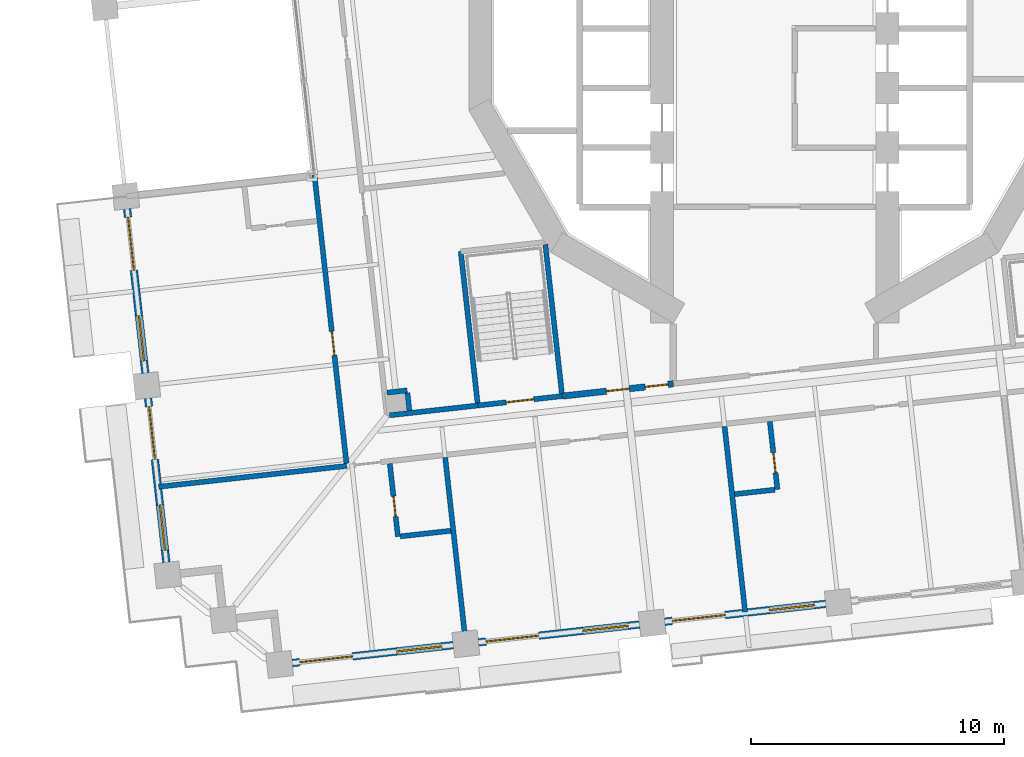
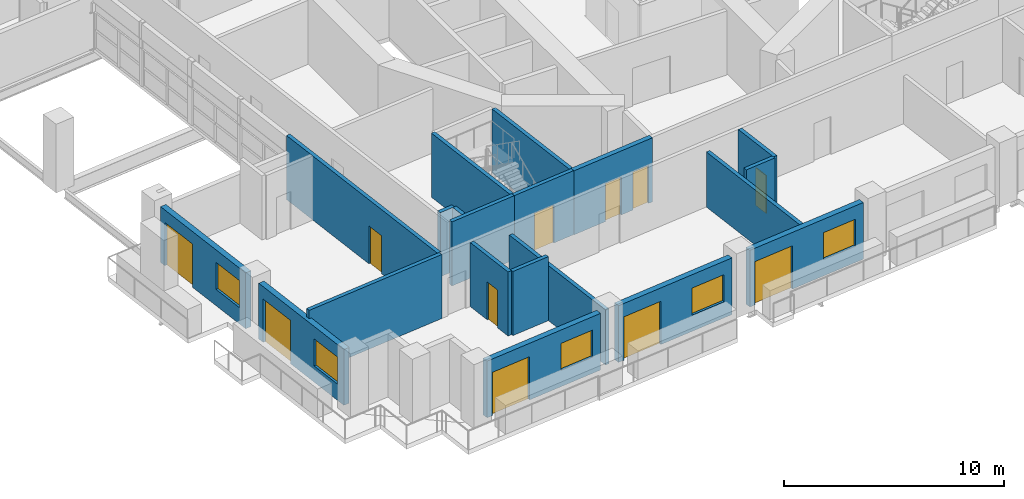
# One storey, part 7 of 21: 20 walls, 11 doors, 5 windows, 16 openings.
"""IFC4 building model written with IfcOpenShell, lengths in metres."""

from ifc_helpers import new_model, si_unit, direction, frame, frame_2d, origin, place, context, subcontext, project, spatial, rectangle, extrude, material, layer, layer_set, type_object, element, fill, save


model = new_model("IFC4")

# Units and contexts
model_context = context("Model", 3, precision=1e-05, world=origin(), true_north=direction((0.0, 1.0)))
body_context = subcontext(model_context, "Body", "Model", "MODEL_VIEW")
ifc_project = project(units=[si_unit("LENGTHUNIT", "METRE"), si_unit("AREAUNIT", "SQUARE_METRE"), si_unit("VOLUMEUNIT", "CUBIC_METRE"), si_unit("PLANEANGLEUNIT", "RADIAN"), si_unit("MASSUNIT", "GRAM", prefix="KILO")], contexts=[model_context])

# Site, building, storey
site_placement = place(None, origin())
site = spatial("IfcSite", under=ifc_project, at=site_placement, CompositionType="ELEMENT")
building_placement = place(site_placement, origin())
building = spatial("IfcBuilding", under=site, at=building_placement, Name="Cantera Rosa Tower", CompositionType="ELEMENT")
storey_placement = place(building_placement, frame((0.0, 0.0, 72.89990234375)))
storey = spatial("IfcBuildingStorey", under=building, at=storey_placement, Name="L15", CompositionType="ELEMENT", Elevation=72.89990234375)

# Wall, opening, door
ifc_material_1 = material(Name="Gypsum board partition")
ifc_layer_1 = layer(ifc_material_1, 0.199951171875)
ifc_layer_set_1 = layer_set([ifc_layer_1], Name="CORRIDOR WALL 200 H3550")
wall_type_1 = type_object("IfcWallType", Name="CORRIDOR WALL 200 H3550", PredefinedType="PARTITIONING", material=ifc_layer_set_1)
wall_1_placement = place(storey_placement, frame((-18.184814453125, -5.67578125, 0.0), z_axis=(0.0, 0.0, 1.0), x_axis=(0.110301773485, -0.993898143054, 0.0)))
wall_1 = element("IfcWall", 1, at=wall_1_placement, inside=storey, type_object=wall_type_1, Name="CORRIDOR WALL L15-011", PredefinedType="PARTITIONING", context=body_context, shape_type="SweptSolid", body=[
    extrude(rectangle(XDim=11.56494140625, YDim=0.199951171875, at=frame_2d((5.782470703125, 0.0))), origin(), (0.0, 0.0, 1.0), 3.550048828125),
])
opening_1_placement = place(wall_1_placement, frame((6.320068359375, 0.0, 0.0)))
opening_1 = element("IfcOpeningElement", 2, at=opening_1_placement, cuts=wall_1, Name="Opening L15-035", PredefinedType="OPENING", context=body_context, shape_type="SweptSolid", body=[
    extrude(rectangle(XDim=0.949951171875, YDim=2.10009765625, at=frame_2d((0.47509765625, 1.050048828125))), frame((0.0, 0.10986328125, 0.0), z_axis=(0.0, -1.0, 0.0), x_axis=(1.0, 0.0, 0.0)), (0.0, 0.0, 1.0), 0.219970703125),
])
ifc_material_2 = material(Name="Timber door leaf", Category="wood")
door_type_1 = type_object("IfcDoorType", Name="ROOM DOOR 950x2100", OperationType="NOTDEFINED", PredefinedType="DOOR", material=ifc_material_2)
door_1_placement = place(opening_1_placement, origin())
door_1 = element("IfcDoor", 3, at=door_1_placement, inside=storey, type_object=door_type_1, Name="DOOR L15-035", OperationType="NOTDEFINED", OverallHeight=2.10009765625, OverallWidth=0.949951171875, PredefinedType="DOOR", context=body_context, shape_type="SweptSolid", body=[
    extrude(rectangle(XDim=0.949951171875, YDim=2.10009765625, at=frame_2d((0.47509765625, 1.050048828125))), frame((0.0, 0.02490234375, 0.0), z_axis=(0.0, -1.0, 0.0), x_axis=(1.0, 0.0, 0.0)), (0.0, 0.0, 1.0), 0.050048828125),
])
fill(opening_1, door_1)

# Wall
wall_2_placement = place(storey_placement, frame((-15.208251953125, -15.27099609375, 0.0), z_axis=(0.0, 0.0, 1.0), x_axis=(0.993893064489, 0.110347525396, 0.0)))
element("IfcWall", 4, at=wall_2_placement, inside=storey, type_object=wall_type_1, Name="CORRIDOR WALL L15-022", PredefinedType="PARTITIONING", context=body_context, shape_type="SweptSolid", body=[
    extrude(rectangle(XDim=3.509033203125, YDim=0.199951171875, at=frame_2d((1.75439453125, 0.0))), origin(), (0.0, 0.0, 1.0), 3.550048828125),
])

# Wall, openings, window, door
ifc_material_3 = material(Name="Hollow clay masonry with cantera stone cladding", Category="masonry")
ifc_layer_2 = layer(ifc_material_3, 0.300048828125)
ifc_layer_set_2 = layer_set([ifc_layer_2], Name="EW-LOGGIA 300 H3090")
wall_type_2 = type_object("IfcWallType", Name="EW-LOGGIA 300 H3090", PredefinedType="SOLIDWALL", material=ifc_layer_set_2)
wall_3_placement = place(storey_placement, frame((-25.570068359375, -7.124267578125, 0.0), z_axis=(0.0, 0.0, 1.0), x_axis=(0.110312341265, -0.993896970196, 0.0)))
wall_3 = element("IfcWall", 5, at=wall_3_placement, inside=storey, type_object=wall_type_2, Name="EN-L15-W19", PredefinedType="SOLIDWALL", context=body_context, shape_type="SweptSolid", body=[
    extrude(rectangle(XDim=6.52001953125, YDim=0.300048828125, at=frame_2d((3.260009765625, 0.0))), origin(), (0.0, 0.0, 1.0), 3.090087890625),
])
opening_2_placement = place(wall_3_placement, frame((0.330078125, 0.0, 0.0)))
opening_2 = element("IfcOpeningElement", 6, at=opening_2_placement, cuts=wall_3, Name="Opening L15-TD25", PredefinedType="OPENING", context=body_context, shape_type="SweptSolid", body=[
    extrude(rectangle(XDim=2.10009765625, YDim=2.39990234375, at=frame_2d((1.050048828125, 1.199951171875))), frame((0.0, 0.159912109375, 0.0), z_axis=(0.0, -1.0, 0.0), x_axis=(1.0, 0.0, 0.0)), (0.0, 0.0, 1.0), 0.320068359375),
])
opening_3_placement = place(wall_3_placement, frame((4.239990234375, 0.0, 0.89990234375)))
opening_3 = element("IfcOpeningElement", 7, at=opening_3_placement, cuts=wall_3, Name="Opening L15-W26", PredefinedType="OPENING", context=body_context, shape_type="SweptSolid", body=[
    extrude(rectangle(XDim=1.800048828125, YDim=1.5, at=frame_2d((0.89990234375, 0.75))), frame((0.0, 0.159912109375, 0.0), z_axis=(0.0, -1.0, 0.0), x_axis=(1.0, 0.0, 0.0)), (0.0, 0.0, 1.0), 0.320068359375),
])
ifc_material_4 = material(Name="Aluminium frame with clear glass", Category="aluminium")
window_type = type_object("IfcWindowType", Name="Hotel room window 1800x1500", PartitioningType="DOUBLE_PANEL_VERTICAL", PredefinedType="WINDOW", material=ifc_material_4)
window_1_placement = place(opening_3_placement, origin())
window_1 = element("IfcWindow", 8, at=window_1_placement, inside=storey, type_object=window_type, Name="WINDOW L15-W26", OverallHeight=1.5, OverallWidth=1.800048828125, PartitioningType="SINGLE_PANEL", PredefinedType="WINDOW", context=body_context, shape_type="SweptSolid", body=[
    extrude(rectangle(XDim=1.800048828125, YDim=1.5, at=frame_2d((0.89990234375, 0.75))), frame((0.0, 0.030029296875, 0.0), z_axis=(0.0, -1.0, 0.0), x_axis=(1.0, 0.0, 0.0)), (0.0, 0.0, 1.0), 0.06005859375),
])
fill(opening_3, window_1)
ifc_material_5 = material(Name="Aluminium frame with clear glass", Category="aluminium")
door_type_2 = type_object("IfcDoorType", Name="TD-H 2100x2400", OperationType="NOTDEFINED", PredefinedType="DOOR", material=ifc_material_5)
door_2_placement = place(opening_2_placement, origin())
door_2 = element("IfcDoor", 9, at=door_2_placement, inside=storey, type_object=door_type_2, Name="LOGGIA DOOR L15-TD25", OperationType="SLIDING_TO_LEFT", OverallHeight=2.39990234375, OverallWidth=2.10009765625, PredefinedType="DOOR", context=body_context, shape_type="SweptSolid", body=[
    extrude(rectangle(XDim=2.10009765625, YDim=2.39990234375, at=frame_2d((1.050048828125, 1.199951171875))), frame((0.0, 0.02490234375, 0.0), z_axis=(0.0, -1.0, 0.0), x_axis=(1.0, 0.0, 0.0)), (0.0, 0.0, 1.0), 0.050048828125),
])
fill(opening_2, door_2)

wall_4_placement = place(storey_placement, frame((-24.74072265625, -14.598388671875, 0.0), z_axis=(0.0, 0.0, 1.0), x_axis=(0.110312341265, -0.993896970196, 0.0)))
wall_4 = element("IfcWall", 10, at=wall_4_placement, inside=storey, type_object=wall_type_2, Name="EN-L15-W20", PredefinedType="SOLIDWALL", context=body_context, shape_type="SweptSolid", body=[
    extrude(rectangle(XDim=6.52001953125, YDim=0.300048828125, at=frame_2d((3.260009765625, 0.0))), origin(), (0.0, 0.0, 1.0), 3.090087890625),
])
opening_4_placement = place(wall_4_placement, frame((0.330078125, 0.0, 0.0)))
opening_4 = element("IfcOpeningElement", 11, at=opening_4_placement, cuts=wall_4, Name="Opening L15-TD27", PredefinedType="OPENING", context=body_context, shape_type="SweptSolid", body=[
    extrude(rectangle(XDim=2.10009765625, YDim=2.39990234375, at=frame_2d((1.050048828125, 1.199951171875))), frame((0.0, 0.159912109375, 0.0), z_axis=(0.0, -1.0, 0.0), x_axis=(1.0, 0.0, 0.0)), (0.0, 0.0, 1.0), 0.320068359375),
])
opening_5_placement = place(wall_4_placement, frame((4.239990234375, 0.0, 0.89990234375)))
opening_5 = element("IfcOpeningElement", 12, at=opening_5_placement, cuts=wall_4, Name="Opening L15-W28", PredefinedType="OPENING", context=body_context, shape_type="SweptSolid", body=[
    extrude(rectangle(XDim=1.800048828125, YDim=1.5, at=frame_2d((0.89990234375, 0.75))), frame((0.0, 0.159912109375, 0.0), z_axis=(0.0, -1.0, 0.0), x_axis=(1.0, 0.0, 0.0)), (0.0, 0.0, 1.0), 0.320068359375),
])
window_2_placement = place(opening_5_placement, origin())
window_2 = element("IfcWindow", 13, at=window_2_placement, inside=storey, type_object=window_type, Name="WINDOW L15-W28", OverallHeight=1.5, OverallWidth=1.800048828125, PartitioningType="SINGLE_PANEL", PredefinedType="WINDOW", context=body_context, shape_type="SweptSolid", body=[
    extrude(rectangle(XDim=1.800048828125, YDim=1.5, at=frame_2d((0.89990234375, 0.75))), frame((0.0, 0.030029296875, 0.0), z_axis=(0.0, -1.0, 0.0), x_axis=(1.0, 0.0, 0.0)), (0.0, 0.0, 1.0), 0.06005859375),
])
fill(opening_5, window_2)
door_3_placement = place(opening_4_placement, origin())
door_3 = element("IfcDoor", 14, at=door_3_placement, inside=storey, type_object=door_type_2, Name="LOGGIA DOOR L15-TD27", OperationType="SLIDING_TO_LEFT", OverallHeight=2.39990234375, OverallWidth=2.10009765625, PredefinedType="DOOR", context=body_context, shape_type="SweptSolid", body=[
    extrude(rectangle(XDim=2.10009765625, YDim=2.39990234375, at=frame_2d((1.050048828125, 1.199951171875))), frame((0.0, 0.02490234375, 0.0), z_axis=(0.0, -1.0, 0.0), x_axis=(1.0, 0.0, 0.0)), (0.0, 0.0, 1.0), 0.050048828125),
])
fill(opening_4, door_3)

ifc_material_6 = material(Name="Hollow clay masonry with cantera stone cladding", Category="masonry")
ifc_layer_3 = layer(ifc_material_6, 0.300048828125)
ifc_layer_set_3 = layer_set([ifc_layer_3], Name="EW-LOGGIA 300 H3140")
wall_type_3 = type_object("IfcWallType", Name="EW-LOGGIA 300 H3140", PredefinedType="SOLIDWALL", material=ifc_layer_set_3)
wall_5_placement = place(storey_placement, frame((-19.052490234375, -25.0546875, 0.0), z_axis=(0.0, 0.0, 1.0), x_axis=(0.993896288542, 0.110318482689, 0.0)))
wall_5 = element("IfcWall", 15, at=wall_5_placement, inside=storey, type_object=wall_type_3, Name="EN-L15-W23", PredefinedType="SOLIDWALL", context=body_context, shape_type="SweptSolid", body=[
    extrude(rectangle(XDim=6.400146484375, YDim=0.300048828125, at=frame_2d((3.2001953125, 0.0))), origin(), (0.0, 0.0, 1.0), 3.14013671875),
])
opening_6_placement = place(wall_5_placement, frame((0.300048828125, 0.0, 0.0)))
opening_6 = element("IfcOpeningElement", 16, at=opening_6_placement, cuts=wall_5, Name="Opening L15-TD29", PredefinedType="OPENING", context=body_context, shape_type="SweptSolid", body=[
    extrude(rectangle(XDim=2.10009765625, YDim=2.39990234375, at=frame_2d((1.050048828125, 1.199951171875))), frame((0.0, 0.159912109375, 0.0), z_axis=(0.0, -1.0, 0.0), x_axis=(1.0, 0.0, 0.0)), (0.0, 0.0, 1.0), 0.320068359375),
])
opening_7_placement = place(wall_5_placement, frame((4.14990234375, 0.0, 0.89990234375)))
opening_7 = element("IfcOpeningElement", 17, at=opening_7_placement, cuts=wall_5, Name="Opening L15-W30", PredefinedType="OPENING", context=body_context, shape_type="SweptSolid", body=[
    extrude(rectangle(XDim=1.800048828125, YDim=1.5, at=frame_2d((0.89990234375, 0.75))), frame((0.0, 0.159912109375, 0.0), z_axis=(0.0, -1.0, 0.0), x_axis=(1.0, 0.0, 0.0)), (0.0, 0.0, 1.0), 0.320068359375),
])
window_3_placement = place(opening_7_placement, origin())
window_3 = element("IfcWindow", 18, at=window_3_placement, inside=storey, type_object=window_type, Name="WINDOW L15-W30", OverallHeight=1.5, OverallWidth=1.800048828125, PartitioningType="SINGLE_PANEL", PredefinedType="WINDOW", context=body_context, shape_type="SweptSolid", body=[
    extrude(rectangle(XDim=1.800048828125, YDim=1.5, at=frame_2d((0.89990234375, 0.75))), frame((0.0, 0.030029296875, 0.0), z_axis=(0.0, -1.0, 0.0), x_axis=(1.0, 0.0, 0.0)), (0.0, 0.0, 1.0), 0.06005859375),
])
fill(opening_7, window_3)
door_4_placement = place(opening_6_placement, origin())
door_4 = element("IfcDoor", 19, at=door_4_placement, inside=storey, type_object=door_type_2, Name="LOGGIA DOOR L15-TD29", OperationType="SLIDING_TO_LEFT", OverallHeight=2.39990234375, OverallWidth=2.10009765625, PredefinedType="DOOR", context=body_context, shape_type="SweptSolid", body=[
    extrude(rectangle(XDim=2.10009765625, YDim=2.39990234375, at=frame_2d((1.050048828125, 1.199951171875))), frame((0.0, 0.02490234375, 0.0), z_axis=(0.0, -1.0, 0.0), x_axis=(1.0, 0.0, 0.0)), (0.0, 0.0, 1.0), 0.050048828125),
])
fill(opening_6, door_4)

wall_6_placement = place(storey_placement, frame((-11.697509765625, -24.23828125, 0.0), z_axis=(0.0, 0.0, 1.0), x_axis=(0.993895824271, 0.110322665379, 0.0)))
wall_6 = element("IfcWall", 20, at=wall_6_placement, inside=storey, type_object=wall_type_3, Name="EN-L15-W24", PredefinedType="SOLIDWALL", context=body_context, shape_type="SweptSolid", body=[
    extrude(rectangle(XDim=6.39990234375, YDim=0.300048828125, at=frame_2d((3.199951171875, 0.0))), origin(), (0.0, 0.0, 1.0), 3.14013671875),
])
opening_8_placement = place(wall_6_placement, frame((0.300048828125, 0.0, 0.0)))
opening_8 = element("IfcOpeningElement", 21, at=opening_8_placement, cuts=wall_6, Name="Opening L15-TD31", PredefinedType="OPENING", context=body_context, shape_type="SweptSolid", body=[
    extrude(rectangle(XDim=2.10009765625, YDim=2.39990234375, at=frame_2d((1.050048828125, 1.199951171875))), frame((0.0, 0.159912109375, 0.0), z_axis=(0.0, -1.0, 0.0), x_axis=(1.0, 0.0, 0.0)), (0.0, 0.0, 1.0), 0.320068359375),
])
opening_9_placement = place(wall_6_placement, frame((4.14990234375, 0.0, 0.89990234375)))
opening_9 = element("IfcOpeningElement", 22, at=opening_9_placement, cuts=wall_6, Name="Opening L15-W32", PredefinedType="OPENING", context=body_context, shape_type="SweptSolid", body=[
    extrude(rectangle(XDim=1.800048828125, YDim=1.5, at=frame_2d((0.89990234375, 0.75))), frame((0.0, 0.159912109375, 0.0), z_axis=(0.0, -1.0, 0.0), x_axis=(1.0, 0.0, 0.0)), (0.0, 0.0, 1.0), 0.320068359375),
])
window_4_placement = place(opening_9_placement, origin())
window_4 = element("IfcWindow", 23, at=window_4_placement, inside=storey, type_object=window_type, Name="WINDOW L15-W32", OverallHeight=1.5, OverallWidth=1.800048828125, PartitioningType="SINGLE_PANEL", PredefinedType="WINDOW", context=body_context, shape_type="SweptSolid", body=[
    extrude(rectangle(XDim=1.800048828125, YDim=1.5, at=frame_2d((0.89990234375, 0.75))), frame((0.0, 0.030029296875, 0.0), z_axis=(0.0, -1.0, 0.0), x_axis=(1.0, 0.0, 0.0)), (0.0, 0.0, 1.0), 0.06005859375),
])
fill(opening_9, window_4)
door_5_placement = place(opening_8_placement, origin())
door_5 = element("IfcDoor", 24, at=door_5_placement, inside=storey, type_object=door_type_2, Name="LOGGIA DOOR L15-TD31", OperationType="SLIDING_TO_LEFT", OverallHeight=2.39990234375, OverallWidth=2.10009765625, PredefinedType="DOOR", context=body_context, shape_type="SweptSolid", body=[
    extrude(rectangle(XDim=2.10009765625, YDim=2.39990234375, at=frame_2d((1.050048828125, 1.199951171875))), frame((0.0, 0.02490234375, 0.0), z_axis=(0.0, -1.0, 0.0), x_axis=(1.0, 0.0, 0.0)), (0.0, 0.0, 1.0), 0.050048828125),
])
fill(opening_8, door_5)

wall_7_placement = place(storey_placement, frame((-4.3427734375, -23.422119140625, 0.0), z_axis=(0.0, 0.0, 1.0), x_axis=(0.993895824271, 0.110322665379, 0.0)))
wall_7 = element("IfcWall", 25, at=wall_7_placement, inside=storey, type_object=wall_type_3, Name="EN-L15-W25", PredefinedType="SOLIDWALL", context=body_context, shape_type="SweptSolid", body=[
    extrude(rectangle(XDim=6.39990234375, YDim=0.300048828125, at=frame_2d((3.199951171875, 0.0))), origin(), (0.0, 0.0, 1.0), 3.14013671875),
])
opening_10_placement = place(wall_7_placement, frame((0.300048828125, 0.0, 0.0)))
opening_10 = element("IfcOpeningElement", 26, at=opening_10_placement, cuts=wall_7, Name="Opening L15-TD33", PredefinedType="OPENING", context=body_context, shape_type="SweptSolid", body=[
    extrude(rectangle(XDim=2.10009765625, YDim=2.39990234375, at=frame_2d((1.050048828125, 1.199951171875))), frame((0.0, 0.159912109375, 0.0), z_axis=(0.0, -1.0, 0.0), x_axis=(1.0, 0.0, 0.0)), (0.0, 0.0, 1.0), 0.320068359375),
])
opening_11_placement = place(wall_7_placement, frame((4.14990234375, 0.0, 0.89990234375)))
opening_11 = element("IfcOpeningElement", 27, at=opening_11_placement, cuts=wall_7, Name="Opening L15-W34", PredefinedType="OPENING", context=body_context, shape_type="SweptSolid", body=[
    extrude(rectangle(XDim=1.800048828125, YDim=1.5, at=frame_2d((0.89990234375, 0.75))), frame((0.0, 0.159912109375, 0.0), z_axis=(0.0, -1.0, 0.0), x_axis=(1.0, 0.0, 0.0)), (0.0, 0.0, 1.0), 0.320068359375),
])
window_5_placement = place(opening_11_placement, origin())
window_5 = element("IfcWindow", 28, at=window_5_placement, inside=storey, type_object=window_type, Name="WINDOW L15-W34", OverallHeight=1.5, OverallWidth=1.800048828125, PartitioningType="SINGLE_PANEL", PredefinedType="WINDOW", context=body_context, shape_type="SweptSolid", body=[
    extrude(rectangle(XDim=1.800048828125, YDim=1.5, at=frame_2d((0.89990234375, 0.75))), frame((0.0, 0.030029296875, 0.0), z_axis=(0.0, -1.0, 0.0), x_axis=(1.0, 0.0, 0.0)), (0.0, 0.0, 1.0), 0.06005859375),
])
fill(opening_11, window_5)
door_6_placement = place(opening_10_placement, origin())
door_6 = element("IfcDoor", 29, at=door_6_placement, inside=storey, type_object=door_type_2, Name="LOGGIA DOOR L15-TD33", OperationType="SLIDING_TO_LEFT", OverallHeight=2.39990234375, OverallWidth=2.10009765625, PredefinedType="DOOR", context=body_context, shape_type="SweptSolid", body=[
    extrude(rectangle(XDim=2.10009765625, YDim=2.39990234375, at=frame_2d((1.050048828125, 1.199951171875))), frame((0.0, 0.02490234375, 0.0), z_axis=(0.0, -1.0, 0.0), x_axis=(1.0, 0.0, 0.0)), (0.0, 0.0, 1.0), 0.050048828125),
])
fill(opening_10, door_6)

# Wall, opening, door
ifc_material_7 = material(Name="Gypsum board partition")
ifc_layer_4 = layer(ifc_material_7, 0.199951171875)
ifc_layer_set_4 = layer_set([ifc_layer_4], Name="PARTITION 200 H3550")
wall_type_4 = type_object("IfcWallType", Name="PARTITION 200 H3550", PredefinedType="PARTITIONING", material=ifc_layer_set_4)
wall_8_placement = place(storey_placement, frame((-14.87744140625, -20.063720703125, 0.0), z_axis=(0.0, 0.0, 1.0), x_axis=(-0.110366846939, 0.993890919114, 0.0)))
wall_8 = element("IfcWall", 30, at=wall_8_placement, inside=storey, type_object=wall_type_4, Name="PARTITION L15-023", PredefinedType="PARTITIONING", context=body_context, shape_type="SweptSolid", body=[
    extrude(rectangle(XDim=2.900146484375, YDim=0.199951171875, at=frame_2d((1.4501953125, 0.0))), origin(), (0.0, 0.0, 1.0), 3.550048828125),
])
opening_12_placement = place(wall_8_placement, frame((0.800048828125, 0.0, 0.0)))
opening_12 = element("IfcOpeningElement", 31, at=opening_12_placement, cuts=wall_8, Name="Opening L15-043", PredefinedType="OPENING", context=body_context, shape_type="SweptSolid", body=[
    extrude(rectangle(XDim=0.800048828125, YDim=2.10009765625, at=frame_2d((0.39990234375, 1.050048828125))), frame((0.0, 0.10986328125, 0.0), z_axis=(0.0, -1.0, 0.0), x_axis=(1.0, 0.0, 0.0)), (0.0, 0.0, 1.0), 0.219970703125),
])
ifc_material_8 = material(Name="Timber door leaf", Category="wood")
door_type_3 = type_object("IfcDoorType", Name="BATHROOM DOOR 800x2100", OperationType="NOTDEFINED", PredefinedType="DOOR", material=ifc_material_8)
door_7_placement = place(opening_12_placement, origin())
door_7 = element("IfcDoor", 32, at=door_7_placement, inside=storey, type_object=door_type_3, Name="DOOR L15-043", OperationType="NOTDEFINED", OverallHeight=2.10009765625, OverallWidth=0.800048828125, PredefinedType="DOOR", context=body_context, shape_type="SweptSolid", body=[
    extrude(rectangle(XDim=0.800048828125, YDim=2.10009765625, at=frame_2d((0.39990234375, 1.050048828125))), frame((0.0, 0.02490234375, 0.0), z_axis=(0.0, -1.0, 0.0), x_axis=(1.0, 0.0, 0.0)), (0.0, 0.0, 1.0), 0.050048828125),
])
fill(opening_12, door_7)

# Walls
wall_9_placement = place(storey_placement, frame((-14.512451171875, -14.2880859375, 0.0), z_axis=(0.0, 0.0, 1.0), x_axis=(-0.993880012744, -0.110465018303, 0.0)))
element("IfcWall", 33, at=wall_9_placement, inside=storey, type_object=wall_type_4, Name="PARTITION L15-024", PredefinedType="PARTITIONING", context=body_context, shape_type="SweptSolid", body=[
    extrude(rectangle(XDim=0.800048828125, YDim=0.199951171875, at=frame_2d((0.39990234375, 0.0))), origin(), (0.0, 0.0, 1.0), 3.550048828125),
])
wall_10_placement = place(storey_placement, frame((-14.42431640625, -15.083251953125, 0.0), z_axis=(0.0, 0.0, 1.0), x_axis=(-0.110201865026, 0.993909225707, 0.0)))
element("IfcWall", 34, at=wall_10_placement, inside=storey, type_object=wall_type_4, Name="PARTITION L15-025", PredefinedType="PARTITIONING", context=body_context, shape_type="SweptSolid", body=[
    extrude(rectangle(XDim=0.699951171875, YDim=0.199951171875, at=frame_2d((0.35009765625, 0.0))), origin(), (0.0, 0.0, 1.0), 3.550048828125),
])
wall_11_placement = place(storey_placement, frame((-12.790283203125, -19.83203125, 0.0), z_axis=(0.0, 0.0, 1.0), x_axis=(-0.993906044505, -0.110230552467, 0.0)))
element("IfcWall", 35, at=wall_11_placement, inside=storey, type_object=wall_type_4, Name="PARTITION L15-026", PredefinedType="PARTITIONING", context=body_context, shape_type="SweptSolid", body=[
    extrude(rectangle(XDim=2.0, YDim=0.199951171875, at=frame_2d((1.0, 0.0))), origin(), (0.0, 0.0, 1.0), 3.550048828125),
])

# Wall, opening, door
wall_12_placement = place(storey_placement, frame((-0.189697265625, -15.515625, 0.0), z_axis=(0.0, 0.0, 1.0), x_axis=(0.110401753874, -0.993887042245, 0.0)))
wall_12 = element("IfcWall", 36, at=wall_12_placement, inside=storey, type_object=wall_type_4, Name="PARTITION L15-056", PredefinedType="PARTITIONING", context=body_context, shape_type="SweptSolid", body=[
    extrude(rectangle(XDim=2.7001953125, YDim=0.199951171875, at=frame_2d((1.35009765625, 0.0))), origin(), (0.0, 0.0, 1.0), 3.550048828125),
])
opening_13_placement = place(wall_12_placement, frame((1.236083984375, 0.0, 0.0)))
opening_13 = element("IfcOpeningElement", 37, at=opening_13_placement, cuts=wall_12, Name="Opening L15-039", PredefinedType="OPENING", context=body_context, shape_type="SweptSolid", body=[
    extrude(rectangle(XDim=0.800048828125, YDim=2.10009765625, at=frame_2d((0.39990234375, 1.050048828125))), frame((0.0, 0.10986328125, 0.0), z_axis=(0.0, -1.0, 0.0), x_axis=(1.0, 0.0, 0.0)), (0.0, 0.0, 1.0), 0.219970703125),
])
door_8_placement = place(opening_13_placement, origin())
door_8 = element("IfcDoor", 38, at=door_8_placement, inside=storey, type_object=door_type_3, Name="DOOR L15-039", OperationType="NOTDEFINED", OverallHeight=2.10009765625, OverallWidth=0.800048828125, PredefinedType="DOOR", context=body_context, shape_type="SweptSolid", body=[
    extrude(rectangle(XDim=0.800048828125, YDim=2.10009765625, at=frame_2d((0.39990234375, 1.050048828125))), frame((0.0, 0.02490234375, 0.0), z_axis=(0.0, -1.0, 0.0), x_axis=(1.0, 0.0, 0.0)), (0.0, 0.0, 1.0), 0.050048828125),
])
fill(opening_13, door_8)

# Walls
wall_13_placement = place(storey_placement, frame((0.0087890625, -18.210205078125, 0.0), z_axis=(0.0, 0.0, 1.0), x_axis=(-0.993894895571, -0.110331031706, 0.0)))
element("IfcWall", 39, at=wall_13_placement, inside=storey, type_object=wall_type_4, Name="PARTITION L15-057", PredefinedType="PARTITIONING", context=body_context, shape_type="SweptSolid", body=[
    extrude(rectangle(XDim=1.599853515625, YDim=0.199951171875, at=frame_2d((0.7998046875, 0.0))), origin(), (0.0, 0.0, 1.0), 3.550048828125),
])
ifc_material_9 = material(Name="Gypsum board partition")
ifc_layer_5 = layer(ifc_material_9, 0.199951171875)
ifc_layer_set_5 = layer_set([ifc_layer_5], Name="PARTY WALL 200 H3050")
wall_type_5 = type_object("IfcWallType", Name="PARTY WALL 200 H3050", PredefinedType="PARTITIONING", material=ifc_layer_set_5)
wall_14_placement = place(storey_placement, frame((-12.197998046875, -24.263671875, 0.0), z_axis=(0.0, 0.0, 1.0), x_axis=(-0.11031154238, 0.993897058864, 0.0)))
element("IfcWall", 40, at=wall_14_placement, inside=storey, type_object=wall_type_5, Name="PARTY WALL L15-028", PredefinedType="PARTITIONING", context=body_context, shape_type="SweptSolid", body=[
    extrude(rectangle(XDim=7.369873046875, YDim=0.199951171875, at=frame_2d((3.68505859375, 0.0))), origin(), (0.0, 0.0, 1.0), 3.050048828125),
])
wall_15_placement = place(storey_placement, frame((-1.978515625, -15.714111328125, 0.0), z_axis=(0.0, 0.0, 1.0), x_axis=(0.110307910555, -0.993897461949, 0.0)))
element("IfcWall", 41, at=wall_15_placement, inside=storey, type_object=wall_type_5, Name="PARTY WALL L15-055", PredefinedType="PARTITIONING", context=body_context, shape_type="SweptSolid", body=[
    extrude(rectangle(XDim=7.3701171875, YDim=0.199951171875, at=frame_2d((3.68505859375, 0.0))), origin(), (0.0, 0.0, 1.0), 3.050048828125),
])
ifc_material_10 = material(Name="Gypsum board partition")
ifc_layer_6 = layer(ifc_material_10, 0.199951171875)
ifc_layer_set_6 = layer_set([ifc_layer_6], Name="PARTY WALL 200 H3550")
wall_type_6 = type_object("IfcWallType", Name="PARTY WALL 200 H3550", PredefinedType="PARTITIONING", material=ifc_layer_set_6)
wall_16_placement = place(storey_placement, frame((-24.322509765625, -18.093505859375, 0.0), z_axis=(0.0, 0.0, 1.0), x_axis=(0.993897676912, 0.110305973679, 0.0)))
element("IfcWall", 42, at=wall_16_placement, inside=storey, type_object=wall_type_6, Name="PARTY WALL L15-002", PredefinedType="PARTITIONING", context=body_context, shape_type="SweptSolid", body=[
    extrude(rectangle(XDim=7.469970703125, YDim=0.199951171875, at=frame_2d((3.73486328125, 0.0))), origin(), (0.0, 0.0, 1.0), 3.550048828125),
])

# Wall, openings, doors
ifc_material_11 = material(Name="Masonry blockwork", Category="masonry")
ifc_layer_7 = layer(ifc_material_11, 0.25)
ifc_layer_set_7 = layer_set([ifc_layer_7], Name="SHAFT WALL 250 H3550")
wall_type_7 = type_object("IfcWallType", Name="SHAFT WALL 250 H3550", PredefinedType="SOLIDWALL", material=ifc_layer_set_7)
wall_17_placement = place(storey_placement, frame((-8.391357421875, -14.51416015625, 0.0), z_axis=(0.0, 0.0, 1.0), x_axis=(0.993899223668, 0.110292035939, 0.0)))
wall_17 = element("IfcWall", 43, at=wall_17_placement, inside=storey, type_object=wall_type_7, Name="SHAFT WALL L15-041", PredefinedType="SOLIDWALL", context=body_context, shape_type="SweptSolid", body=[
    extrude(rectangle(XDim=4.418212890625, YDim=0.25, at=frame_2d((2.208984375, 0.0))), origin(), (0.0, 0.0, 1.0), 3.550048828125),
])
opening_14_placement = place(wall_17_placement, frame((3.305419921875, 0.0, 0.0)))
opening_14 = element("IfcOpeningElement", 44, at=opening_14_placement, cuts=wall_17, Name="Opening L15-010", PredefinedType="OPENING", context=body_context, shape_type="SweptSolid", body=[
    extrude(rectangle(XDim=0.89990234375, YDim=2.10009765625, at=frame_2d((0.449951171875, 1.050048828125))), frame((0.0, 0.135009765625, 0.0), z_axis=(0.0, -1.0, 0.0), x_axis=(1.0, 0.0, 0.0)), (0.0, 0.0, 1.0), 0.27001953125),
])
opening_15_placement = place(wall_17_placement, frame((1.759033203125, 0.0, 0.0)))
opening_15 = element("IfcOpeningElement", 45, at=opening_15_placement, cuts=wall_17, Name="Opening L15-045", PredefinedType="OPENING", context=body_context, shape_type="SweptSolid", body=[
    extrude(rectangle(XDim=0.89990234375, YDim=2.10009765625, at=frame_2d((0.449951171875, 1.050048828125))), frame((0.0, 0.135009765625, 0.0), z_axis=(0.0, -1.0, 0.0), x_axis=(1.0, 0.0, 0.0)), (0.0, 0.0, 1.0), 0.27001953125),
])
ifc_material_12 = material(Name="Timber door leaf", Category="wood")
door_type_4 = type_object("IfcDoorType", Name="SERVICE DOOR 900x2100", OperationType="NOTDEFINED", PredefinedType="DOOR", material=ifc_material_12)
door_9_placement = place(opening_14_placement, origin())
door_9 = element("IfcDoor", 46, at=door_9_placement, inside=storey, type_object=door_type_4, Name="RISER DOOR L15-010", OperationType="NOTDEFINED", OverallHeight=2.10009765625, OverallWidth=0.89990234375, PredefinedType="DOOR", context=body_context, shape_type="SweptSolid", body=[
    extrude(rectangle(XDim=0.89990234375, YDim=2.10009765625, at=frame_2d((0.449951171875, 1.050048828125))), frame((0.0, 0.02490234375, 0.0), z_axis=(0.0, -1.0, 0.0), x_axis=(1.0, 0.0, 0.0)), (0.0, 0.0, 1.0), 0.050048828125),
])
fill(opening_14, door_9)
door_10_placement = place(opening_15_placement, origin())
door_10 = element("IfcDoor", 47, at=door_10_placement, inside=storey, type_object=door_type_4, Name="RISER DOOR L15-045", OperationType="NOTDEFINED", OverallHeight=2.10009765625, OverallWidth=0.89990234375, PredefinedType="DOOR", context=body_context, shape_type="SweptSolid", body=[
    extrude(rectangle(XDim=0.89990234375, YDim=2.10009765625, at=frame_2d((0.449951171875, 1.050048828125))), frame((0.0, 0.02490234375, 0.0), z_axis=(0.0, -1.0, 0.0), x_axis=(1.0, 0.0, 0.0)), (0.0, 0.0, 1.0), 0.050048828125),
])
fill(opening_15, door_10)

# Wall
ifc_material_13 = material(Name="Concrete C50/60", Category="concrete")
ifc_layer_8 = layer(ifc_material_13, 0.199951171875)
ifc_layer_set_8 = layer_set([ifc_layer_8], Name="STAIR WALL 200 H3550")
wall_type_8 = type_object("IfcWallType", Name="STAIR WALL 200 H3550", PredefinedType="SOLIDWALL", material=ifc_layer_set_8)
wall_18_placement = place(storey_placement, frame((-12.395751953125, -8.802978515625, 0.0), z_axis=(0.0, 0.0, 1.0), x_axis=(0.110335171461, -0.993894436014, 0.0)))
element("IfcWall", 48, at=wall_18_placement, inside=storey, type_object=wall_type_8, Name="STAIR WALL L15-027", PredefinedType="SOLIDWALL", context=body_context, shape_type="SweptSolid", body=[
    extrude(rectangle(XDim=6.1181640625, YDim=0.199951171875, at=frame_2d((3.05908203125, 0.0))), origin(), (0.0, 0.0, 1.0), 3.550048828125),
])

# Wall, opening, door
wall_19_placement = place(storey_placement, frame((-11.720703125, -14.8837890625, 0.0), z_axis=(0.0, 0.0, 1.0), x_axis=(0.993893507649, 0.110343533811, 0.0)))
wall_19 = element("IfcWall", 49, at=wall_19_placement, inside=storey, type_object=wall_type_8, Name="STAIR WALL L15-030", PredefinedType="SOLIDWALL", context=body_context, shape_type="SweptSolid", body=[
    extrude(rectangle(XDim=3.349853515625, YDim=0.199951171875, at=frame_2d((1.6748046875, 0.0))), origin(), (0.0, 0.0, 1.0), 3.550048828125),
])
opening_16_placement = place(wall_19_placement, frame((1.125, 0.0, 0.0)))
opening_16 = element("IfcOpeningElement", 50, at=opening_16_placement, cuts=wall_19, Name="Opening L15-003", PredefinedType="OPENING", context=body_context, shape_type="SweptSolid", body=[
    extrude(rectangle(XDim=1.10009765625, YDim=2.10009765625, at=frame_2d((0.550048828125, 1.050048828125))), frame((0.0, 0.10986328125, 0.0), z_axis=(0.0, -1.0, 0.0), x_axis=(1.0, 0.0, 0.0)), (0.0, 0.0, 1.0), 0.219970703125),
])
ifc_material_14 = material(Name="Steel S355J2 (EN 10025-2)", Category="steel")
door_type_5 = type_object("IfcDoorType", Name="STAIR DOOR 1100x2100", OperationType="NOTDEFINED", PredefinedType="DOOR", material=ifc_material_14)
door_11_placement = place(opening_16_placement, origin())
door_11 = element("IfcDoor", 51, at=door_11_placement, inside=storey, type_object=door_type_5, Name="DOOR L15-003", OperationType="NOTDEFINED", OverallHeight=2.10009765625, OverallWidth=1.10009765625, PredefinedType="DOOR", context=body_context, shape_type="SweptSolid", body=[
    extrude(rectangle(XDim=1.10009765625, YDim=2.10009765625, at=frame_2d((0.550048828125, 1.050048828125))), frame((0.0, 0.02490234375, 0.0), z_axis=(0.0, -1.0, 0.0), x_axis=(1.0, 0.0, 0.0)), (0.0, 0.0, 1.0), 0.050048828125),
])
fill(opening_16, door_11)

# Wall
wall_20_placement = place(storey_placement, frame((-8.391357421875, -14.51416015625, 0.0), z_axis=(0.0, 0.0, 1.0), x_axis=(-0.11031151838, 0.993897061527, 0.0)))
element("IfcWall", 52, at=wall_20_placement, inside=storey, type_object=wall_type_8, Name="STAIR WALL L15-040", PredefinedType="SOLIDWALL", context=body_context, shape_type="SweptSolid", body=[
    extrude(rectangle(XDim=6.02880859375, YDim=0.199951171875, at=frame_2d((3.014404296875, 0.0))), origin(), (0.0, 0.0, 1.0), 3.550048828125),
])

save(model, "model.ifc")
